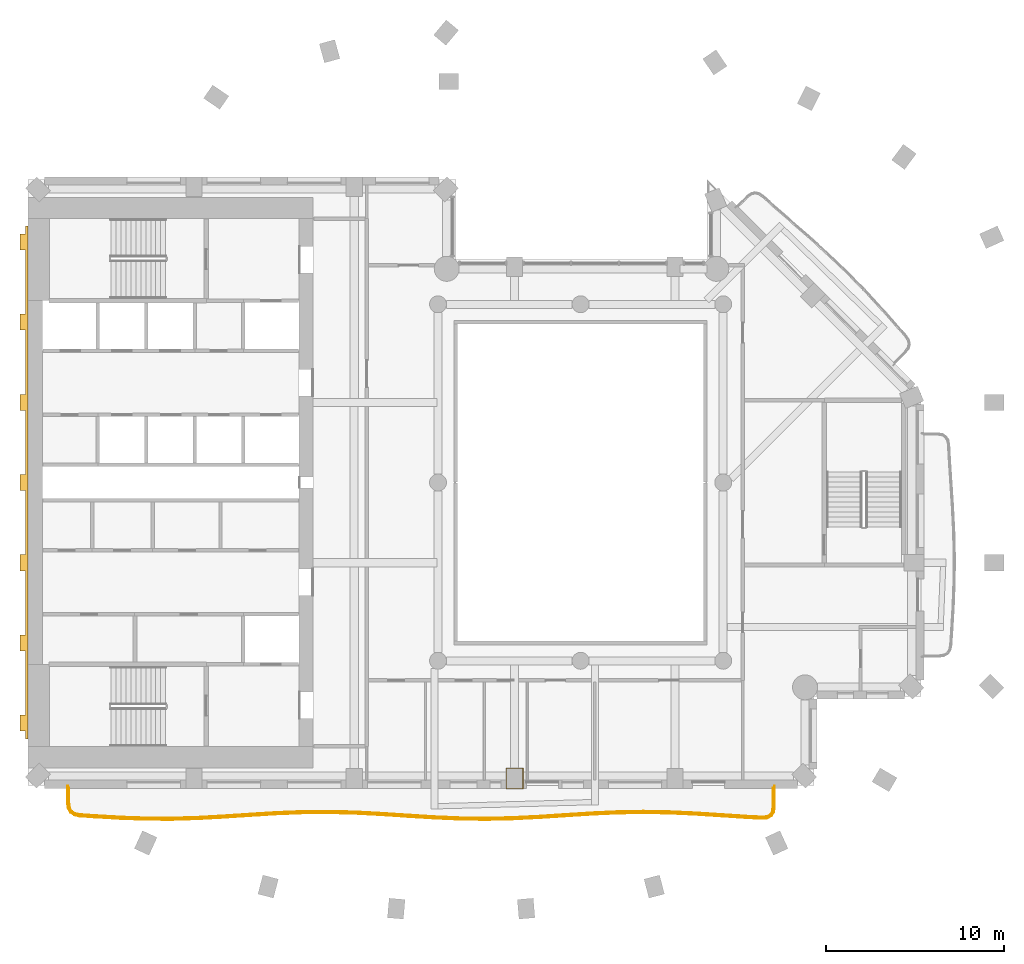
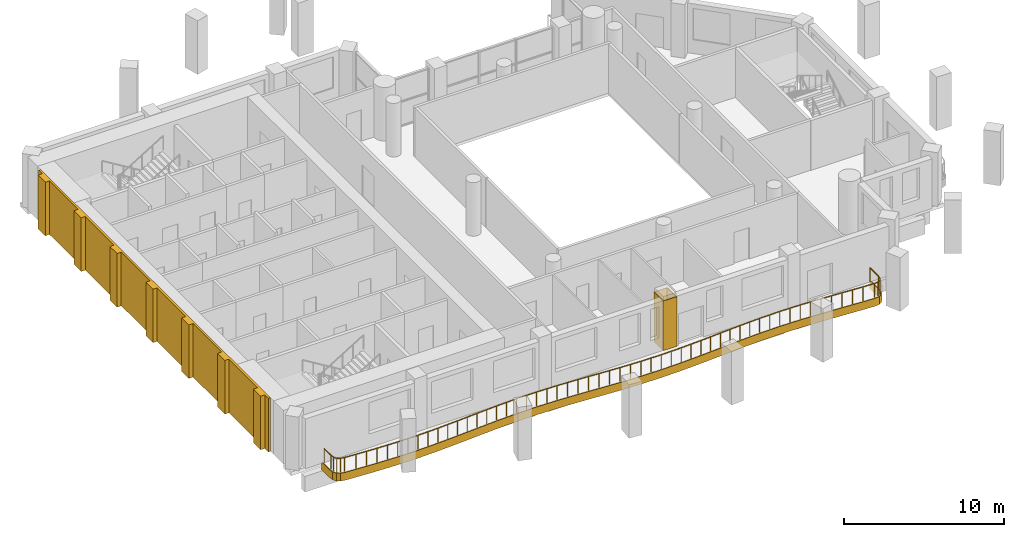
# One storey, part 10 of 13: 3 coverings, 1 railing.
"""IFC4 building model written with IfcOpenShell, lengths in metres."""

from ifc_helpers import new_model, si_unit, direction, frame, origin, origin_2d, place, context, subcontext, project, spatial, polyline, rectangle, outline, extrude, material, layer, layer_set, type_object, element, save


model = new_model("IFC4")

# Units and contexts
model_context = context("Model", 3, precision=1e-05, world=origin(), true_north=direction((0.0, 1.0)))
body_context = subcontext(model_context, "Body", "Model", "MODEL_VIEW")
ifc_project = project(units=[si_unit("LENGTHUNIT", "METRE"), si_unit("AREAUNIT", "SQUARE_METRE"), si_unit("VOLUMEUNIT", "CUBIC_METRE"), si_unit("PLANEANGLEUNIT", "RADIAN"), si_unit("MASSUNIT", "GRAM", prefix="KILO")], contexts=[model_context])

# Site, building, storey
site_placement = place(None, origin())
site = spatial("IfcSite", under=ifc_project, at=site_placement, CompositionType="ELEMENT")
building_placement = place(site_placement, origin())
building = spatial("IfcBuilding", under=site, at=building_placement, Name="Cypress Arch Tower", CompositionType="ELEMENT")
storey_placement = place(building_placement, frame((0.0, 0.0, 189.199951171875)))
storey = spatial("IfcBuildingStorey", under=building, at=storey_placement, Name="L41", CompositionType="ELEMENT", Elevation=189.199951171875)

# Covering
ifc_material_1 = material(Name="White powder-coated aluminium fascia", Category="aluminium")
ifc_layer_1 = layer(ifc_material_1, 0.050048828125)
ifc_layer_set_1 = layer_set([ifc_layer_1], Name="Balcony fascia BF50")
covering_type_1 = type_object("IfcCoveringType", Name="Balcony fascia BF50", PredefinedType="CLADDING", material=ifc_layer_set_1)
covering_1_placement = place(storey_placement, frame((0.0, 0.0, -0.599853515625)))
element("IfcCovering", 1, at=covering_1_placement, inside=storey, type_object=covering_type_1, Name="Balcony fascia L41-B01", PredefinedType="CLADDING", context=body_context, shape_type="SweptSolid", body=[
    extrude(outline(polyline([(11.89990234375, -18.19873046875), (11.856689453125, -18.499755859375), (11.720703125, -18.72021484375), (11.49365234375, -18.84521484375), (11.191162109375, -18.87353515625), (10.38037109375, -18.83349609375), (8.913330078125, -18.73779296875), (7.447265625, -18.643798828125), (5.981689453125, -18.575439453125), (4.5166015625, -18.550048828125), (3.051513671875, -18.57421875), (1.586181640625, -18.641845703125), (0.119873046875, -18.735595703125), (-1.34716796875, -18.83154296875), (-2.81494140625, -18.90478515625), (-4.283203125, -18.936767578125), (-5.75146484375, -18.919189453125), (-7.21923828125, -18.8564453125), (-8.6865234375, -18.764892578125), (-10.153076171875, -18.66796875), (-11.61865234375, -18.59033203125), (-13.083740234375, -18.552001953125), (-14.548828125, -18.562744140625), (-16.01416015625, -18.619873046875), (-17.480224609375, -18.708740234375), (-18.947021484375, -18.806640625), (-20.41455078125, -18.88818359375), (-21.882568359375, -18.932861328125), (-23.350830078125, -18.9287109375), (-24.819091796875, -18.877197265625), (-26.286376953125, -18.79150390625), (-27.096923828125, -18.7373046875), (-27.3984375, -18.673828125), (-27.62255859375, -18.524169921875), (-27.7568359375, -18.290771484375), (-27.800048828125, -17.985595703125), (-27.800048828125, -17.0009765625), (-27.75, -17.0009765625), (-27.75, -17.98193359375), (-27.708740234375, -18.274169921875), (-27.5849609375, -18.4892578125), (-27.378662109375, -18.626953125), (-27.090087890625, -18.687744140625), (-26.283447265625, -18.741455078125), (-24.816650390625, -18.827392578125), (-23.35009765625, -18.87890625), (-21.88330078125, -18.8828125), (-20.416748046875, -18.83837890625), (-18.949951171875, -18.756591796875), (-17.4833984375, -18.658935546875), (-16.0166015625, -18.570068359375), (-14.550048828125, -18.512939453125), (-13.083251953125, -18.501953125), (-11.61669921875, -18.540283203125), (-10.14990234375, -18.617919921875), (-8.683349609375, -18.715087890625), (-7.216552734375, -18.806640625), (-5.75, -18.869140625), (-4.283447265625, -18.88671875), (-2.816650390625, -18.854736328125), (-1.35009765625, -18.781494140625), (0.11669921875, -18.685791015625), (1.583251953125, -18.592041015625), (3.050048828125, -18.524169921875), (4.5166015625, -18.5), (5.9833984375, -18.525390625), (7.449951171875, -18.593994140625), (8.916748046875, -18.68798828125), (10.38330078125, -18.783447265625), (11.18994140625, -18.823486328125), (11.478759765625, -18.79638671875), (11.68505859375, -18.6826171875), (11.808837890625, -18.482177734375), (11.85009765625, -18.1953125), (11.85009765625, -17.0009765625), (11.89990234375, -17.0009765625), (11.89990234375, -18.19873046875)])), origin(), (0.0, 0.0, 1.0), 0.599853515625),
])

# Railing
ifc_material_2 = material(Name="Powder-coated steel posts and rods, 100 mm clear between rods", Category="steel")
railing_type = type_object("IfcRailingType", Name="Balcony guard GR1100", PredefinedType="GUARDRAIL", material=ifc_material_2)
railing_placement = place(storey_placement, frame((11.800048828125, -17.14990234375, 0.0)))
element("IfcRailing", 2, at=railing_placement, inside=storey, type_object=railing_type, Name="Balcony guard L41-B01", PredefinedType="GUARDRAIL", context=body_context, shape_type="SweptSolid", body=[
    extrude(rectangle(XDim=0.050048828125, YDim=0.050048828125, at=origin_2d()), frame((0.0, 0.0, 1.0751953125), z_axis=(0.0, -1.0, 0.0), x_axis=(1.0, 0.0, 0.0)), (0.0, 0.0, 1.0), 1.041748046875),
    extrude(rectangle(XDim=0.050048828125, YDim=0.050048828125, at=origin_2d()), frame((0.0, -1.041748046875, 1.0751953125), z_axis=(-0.142411977437, -0.989807470513, 0.0), x_axis=(0.989807470513, -0.142411977437, 0.0)), (0.0, 0.0, 1.0), 0.276123046875),
    extrude(rectangle(XDim=0.050048828125, YDim=0.050048828125, at=origin_2d()), frame((-0.039306640625, -1.31494140625, 1.0751953125), z_axis=(-0.525125072747, -0.85102506307, 0.0), x_axis=(0.85102506307, -0.525125072747, 0.0)), (0.0, 0.0, 1.0), 0.2119140625),
    extrude(rectangle(XDim=0.050048828125, YDim=0.050048828125, at=origin_2d()), frame((-0.150634765625, -1.495361328125, 1.0751953125), z_axis=(-0.875997084836, -0.482316397564, 0.0), x_axis=(0.482316397564, -0.875997084836, 0.0)), (0.0, 0.0, 1.0), 0.212158203125),
    extrude(rectangle(XDim=0.050048828125, YDim=0.050048828125, at=origin_2d()), frame((-0.33642578125, -1.59765625, 1.0751953125), z_axis=(-0.995672695731, -0.092929451602, 0.0), x_axis=(0.092929451602, -0.995672695731, 0.0)), (0.0, 0.0, 1.0), 0.27587890625),
    extrude(rectangle(XDim=0.050048828125, YDim=0.050048828125, at=origin_2d()), frame((-0.611083984375, -1.623291015625, 1.0751953125), z_axis=(-0.998788435349, 0.049210379114, 0.0), x_axis=(-0.049210379114, -0.998788435349, 0.0)), (0.0, 0.0, 1.0), 0.8037109375),
    extrude(rectangle(XDim=0.050048828125, YDim=0.050048828125, at=origin_2d()), frame((-1.413818359375, -1.583740234375, 1.0751953125), z_axis=(-0.997887605329, 0.064964044902, 0.0), x_axis=(-0.064964044902, -0.997887605329, 0.0)), (0.0, 0.0, 1.0), 1.469482421875),
    extrude(rectangle(XDim=0.050048828125, YDim=0.050048828125, at=origin_2d()), frame((-2.880126953125, -1.48828125, 1.0751953125), z_axis=(-0.997943168618, 0.064104853235, 0.0), x_axis=(-0.064104853235, -0.997943168618, 0.0)), (0.0, 0.0, 1.0), 1.469970703125),
    extrude(rectangle(XDim=0.050048828125, YDim=0.050048828125, at=origin_2d()), frame((-4.34716796875, -1.39404296875, 1.0751953125), z_axis=(-0.998909841589, 0.046681135122, 0.0), x_axis=(-0.046681135122, -0.998909841589, 0.0)), (0.0, 0.0, 1.0), 1.4697265625),
    extrude(rectangle(XDim=0.050048828125, YDim=0.050048828125, at=origin_2d()), frame((-5.815185546875, -1.325439453125, 1.0751953125), z_axis=(-0.999850509896, 0.01729039791, 0.0), x_axis=(-0.01729039791, -0.999850509896, 0.0)), (0.0, 0.0, 1.0), 1.468505859375),
    extrude(rectangle(XDim=0.050048828125, YDim=0.050048828125, at=origin_2d()), frame((-7.283447265625, -1.300048828125, 1.0751953125), z_axis=(-0.999861785658, -0.016625570097, 0.0), x_axis=(0.016625570097, -0.999861785658, 0.0)), (0.0, 0.0, 1.0), 1.468505859375),
    extrude(rectangle(XDim=0.050048828125, YDim=0.050048828125, at=origin_2d()), frame((-8.751708984375, -1.324462890625, 1.0751953125), z_axis=(-0.998940256381, -0.046025690455, 0.0), x_axis=(0.046025690455, -0.998940256381, 0.0)), (0.0, 0.0, 1.0), 1.46923828125),
    extrude(rectangle(XDim=0.050048828125, YDim=0.050048828125, at=origin_2d()), frame((-10.219482421875, -1.39208984375, 1.0751953125), z_axis=(-0.997964362845, -0.063774058135, 0.0), x_axis=(0.063774058135, -0.997964362845, 0.0)), (0.0, 0.0, 1.0), 1.469970703125),
    extrude(rectangle(XDim=0.050048828125, YDim=0.050048828125, at=origin_2d()), frame((-11.6865234375, -1.48583984375, 1.0751953125), z_axis=(-0.997866009186, -0.065294928673, 0.0), x_axis=(0.065294928673, -0.997866009186, 0.0)), (0.0, 0.0, 1.0), 1.469482421875),
    extrude(rectangle(XDim=0.050048828125, YDim=0.050048828125, at=origin_2d()), frame((-13.15283203125, -1.581787109375, 1.0751953125), z_axis=(-0.998753583274, -0.049912722802, 0.0), x_axis=(0.049912722802, -0.998753583274, 0.0)), (0.0, 0.0, 1.0), 1.46728515625),
    extrude(rectangle(XDim=0.050048828125, YDim=0.050048828125, at=origin_2d()), frame((-14.618408203125, -1.655029296875, 1.0751953125), z_axis=(-0.99976551668, -0.021654368072, 0.0), x_axis=(0.021654368072, -0.99976551668, 0.0)), (0.0, 0.0, 1.0), 1.465576171875),
    extrude(rectangle(XDim=0.050048828125, YDim=0.050048828125, at=origin_2d()), frame((-16.083740234375, -1.686767578125, 1.0751953125), z_axis=(-0.999928007775, 0.011999136093, 0.0), x_axis=(-0.011999136093, -0.999928007775, 0.0)), (0.0, 0.0, 1.0), 1.46484375),
    extrude(rectangle(XDim=0.050048828125, YDim=0.050048828125, at=origin_2d()), frame((-17.548583984375, -1.669189453125, 1.0751953125), z_axis=(-0.999091925715, 0.042606618854, 0.0), x_axis=(-0.042606618854, -0.999091925715, 0.0)), (0.0, 0.0, 1.0), 1.466796875),
    extrude(rectangle(XDim=0.050048828125, YDim=0.050048828125, at=origin_2d()), frame((-19.01416015625, -1.606689453125, 1.0751953125), z_axis=(-0.998055810685, 0.062326549377, 0.0), x_axis=(-0.062326549377, -0.998055810685, 0.0)), (0.0, 0.0, 1.0), 1.468994140625),
    extrude(rectangle(XDim=0.050048828125, YDim=0.050048828125, at=origin_2d()), frame((-20.480224609375, -1.51513671875, 1.0751953125), z_axis=(-0.997823935378, 0.065934770697, 0.0), x_axis=(-0.065934770697, -0.997823935378, 0.0)), (0.0, 0.0, 1.0), 1.469970703125),
    extrude(rectangle(XDim=0.050048828125, YDim=0.050048828125, at=origin_2d()), frame((-21.947021484375, -1.418212890625, 1.0751953125), z_axis=(-0.998604029741, 0.052820372831, 0.0), x_axis=(-0.052820372831, -0.998604029741, 0.0)), (0.0, 0.0, 1.0), 1.4697265625),
    extrude(rectangle(XDim=0.050048828125, YDim=0.050048828125, at=origin_2d()), frame((-23.414794921875, -1.340576171875, 1.0751953125), z_axis=(-0.999659305663, 0.026101199233, 0.0), x_axis=(-0.026101199233, -0.999659305663, 0.0)), (0.0, 0.0, 1.0), 1.468505859375),
    extrude(rectangle(XDim=0.050048828125, YDim=0.050048828125, at=origin_2d()), frame((-24.8828125, -1.30224609375, 1.0751953125), z_axis=(-0.999973246127, -0.007314850013, 0.0), x_axis=(0.007314850013, -0.999973246127, 0.0)), (0.0, 0.0, 1.0), 1.468505859375),
    extrude(rectangle(XDim=0.050048828125, YDim=0.050048828125, at=origin_2d()), frame((-26.351318359375, -1.31298828125, 1.0751953125), z_axis=(-0.999243392448, -0.038892706892, 0.0), x_axis=(0.038892706892, -0.999243392448, 0.0)), (0.0, 0.0, 1.0), 1.468994140625),
    extrude(rectangle(XDim=0.050048828125, YDim=0.050048828125, at=origin_2d()), frame((-27.819091796875, -1.3701171875, 1.0751953125), z_axis=(-0.998171533935, -0.060444924031, 0.0), x_axis=(0.060444924031, -0.998171533935, 0.0)), (0.0, 0.0, 1.0), 1.47021484375),
    extrude(rectangle(XDim=0.050048828125, YDim=0.050048828125, at=origin_2d()), frame((-29.28662109375, -1.458984375, 1.0751953125), z_axis=(-0.997779274215, -0.066607206419, 0.0), x_axis=(0.066607206419, -0.997779274215, 0.0)), (0.0, 0.0, 1.0), 1.4697265625),
    extrude(rectangle(XDim=0.050048828125, YDim=0.050048828125, at=origin_2d()), frame((-30.753173828125, -1.556884765625, 1.0751953125), z_axis=(-0.998455743809, -0.055552926609, 0.0), x_axis=(0.055552926609, -0.998455743809, 0.0)), (0.0, 0.0, 1.0), 1.4677734375),
    extrude(rectangle(XDim=0.050048828125, YDim=0.050048828125, at=origin_2d()), frame((-32.21875, -1.638427734375, 1.0751953125), z_axis=(-0.999540567806, -0.030309294125, 0.0), x_axis=(0.030309294125, -0.999540567806, 0.0)), (0.0, 0.0, 1.0), 1.466064453125),
    extrude(rectangle(XDim=0.050048828125, YDim=0.050048828125, at=origin_2d()), frame((-33.68408203125, -1.682861328125, 1.0751953125), z_axis=(-0.999996445648, 0.00266621282, 0.0), x_axis=(-0.00266621282, -0.999996445648, 0.0)), (0.0, 0.0, 1.0), 1.465087890625),
    extrude(rectangle(XDim=0.050048828125, YDim=0.050048828125, at=origin_2d()), frame((-35.149169921875, -1.678955078125, 1.0751953125), z_axis=(-0.9993824314, 0.035139092322, 0.0), x_axis=(-0.035139092322, -0.9993824314, 0.0)), (0.0, 0.0, 1.0), 1.466064453125),
    extrude(rectangle(XDim=0.050048828125, YDim=0.050048828125, at=origin_2d()), frame((-36.6142578125, -1.62744140625, 1.0751953125), z_axis=(-0.998296088202, 0.058351694748, 0.0), x_axis=(-0.058351694748, -0.998296088202, 0.0)), (0.0, 0.0, 1.0), 1.468505859375),
    extrude(rectangle(XDim=0.050048828125, YDim=0.050048828125, at=origin_2d()), frame((-38.080322265625, -1.541748046875, 1.0751953125), z_axis=(-0.997770367679, 0.066740492821, 0.0), x_axis=(-0.066740492821, -0.997770367679, 0.0)), (0.0, 0.0, 1.0), 0.8046875),
    extrude(rectangle(XDim=0.050048828125, YDim=0.050048828125, at=origin_2d()), frame((-38.88330078125, -1.488037109375, 1.0751953125), z_axis=(-0.97870572529, 0.205268368933, 0.0), x_axis=(-0.205268368933, -0.97870572529, 0.0)), (0.0, 0.0, 1.0), 0.281982421875),
    extrude(rectangle(XDim=0.050048828125, YDim=0.050048828125, at=origin_2d()), frame((-39.1591796875, -1.43017578125, 1.0751953125), z_axis=(-0.831386976724, 0.555693885997, 0.0), x_axis=(-0.555693885997, -0.831386976724, 0.0)), (0.0, 0.0, 1.0), 0.226806640625),
    extrude(rectangle(XDim=0.050048828125, YDim=0.050048828125, at=origin_2d()), frame((-39.34765625, -1.30419921875, 1.0751953125), z_axis=(-0.498572279152, 0.86684813114, 0.0), x_axis=(-0.86684813114, -0.498572279152, 0.0)), (0.0, 0.0, 1.0), 0.226806640625),
    extrude(rectangle(XDim=0.050048828125, YDim=0.050048828125, at=origin_2d()), frame((-39.460693359375, -1.107666015625, 1.0751953125), z_axis=(-0.13948048644, 0.990224819878, 0.0), x_axis=(-0.990224819878, -0.13948048644, 0.0)), (0.0, 0.0, 1.0), 0.28173828125),
    extrude(rectangle(XDim=0.050048828125, YDim=0.050048828125, at=origin_2d()), frame((-39.5, -0.82861328125, 1.0751953125), z_axis=(0.0, 1.0, 0.0), x_axis=(-1.0, 0.0, 0.0)), (0.0, 0.0, 1.0), 0.82861328125),
    extrude(rectangle(XDim=0.0400390625, YDim=0.0400390625, at=origin_2d()), origin(), (0.0, 0.0, 1.0), 1.050048828125),
    extrude(rectangle(XDim=0.0400390625, YDim=0.0400390625, at=origin_2d()), frame((0.0, -1.041748046875, 0.0)), (0.0, 0.0, 1.0), 1.050048828125),
    extrude(rectangle(XDim=0.0400390625, YDim=0.0400390625, at=origin_2d()), frame((-0.039306640625, -1.31494140625, 0.0)), (0.0, 0.0, 1.0), 1.050048828125),
    extrude(rectangle(XDim=0.0400390625, YDim=0.0400390625, at=origin_2d()), frame((-0.150634765625, -1.495361328125, 0.0)), (0.0, 0.0, 1.0), 1.050048828125),
    extrude(rectangle(XDim=0.0400390625, YDim=0.0400390625, at=origin_2d()), frame((-0.33642578125, -1.59765625, 0.0)), (0.0, 0.0, 1.0), 1.050048828125),
    extrude(rectangle(XDim=0.0400390625, YDim=0.0400390625, at=origin_2d()), frame((-0.611083984375, -1.623291015625, 0.0)), (0.0, 0.0, 1.0), 1.050048828125),
    extrude(rectangle(XDim=0.0400390625, YDim=0.0400390625, at=origin_2d()), frame((-1.413818359375, -1.583740234375, 0.0)), (0.0, 0.0, 1.0), 1.050048828125),
    extrude(rectangle(XDim=0.0400390625, YDim=0.0400390625, at=origin_2d()), frame((-2.14697265625, -1.5361328125, 0.0)), (0.0, 0.0, 1.0), 1.050048828125),
    extrude(rectangle(XDim=0.0400390625, YDim=0.0400390625, at=origin_2d()), frame((-2.880126953125, -1.48828125, 0.0)), (0.0, 0.0, 1.0), 1.050048828125),
    extrude(rectangle(XDim=0.0400390625, YDim=0.0400390625, at=origin_2d()), frame((-3.61376953125, -1.441162109375, 0.0)), (0.0, 0.0, 1.0), 1.050048828125),
    extrude(rectangle(XDim=0.0400390625, YDim=0.0400390625, at=origin_2d()), frame((-4.34716796875, -1.39404296875, 0.0)), (0.0, 0.0, 1.0), 1.050048828125),
    extrude(rectangle(XDim=0.0400390625, YDim=0.0400390625, at=origin_2d()), frame((-5.0810546875, -1.35986328125, 0.0)), (0.0, 0.0, 1.0), 1.050048828125),
    extrude(rectangle(XDim=0.0400390625, YDim=0.0400390625, at=origin_2d()), frame((-5.815185546875, -1.325439453125, 0.0)), (0.0, 0.0, 1.0), 1.050048828125),
    extrude(rectangle(XDim=0.0400390625, YDim=0.0400390625, at=origin_2d()), frame((-6.54931640625, -1.312744140625, 0.0)), (0.0, 0.0, 1.0), 1.050048828125),
    extrude(rectangle(XDim=0.0400390625, YDim=0.0400390625, at=origin_2d()), frame((-7.283447265625, -1.300048828125, 0.0)), (0.0, 0.0, 1.0), 1.050048828125),
    extrude(rectangle(XDim=0.0400390625, YDim=0.0400390625, at=origin_2d()), frame((-8.017578125, -1.312255859375, 0.0)), (0.0, 0.0, 1.0), 1.050048828125),
    extrude(rectangle(XDim=0.0400390625, YDim=0.0400390625, at=origin_2d()), frame((-8.751708984375, -1.324462890625, 0.0)), (0.0, 0.0, 1.0), 1.050048828125),
    extrude(rectangle(XDim=0.0400390625, YDim=0.0400390625, at=origin_2d()), frame((-9.485595703125, -1.3583984375, 0.0)), (0.0, 0.0, 1.0), 1.050048828125),
    extrude(rectangle(XDim=0.0400390625, YDim=0.0400390625, at=origin_2d()), frame((-10.219482421875, -1.39208984375, 0.0)), (0.0, 0.0, 1.0), 1.050048828125),
    extrude(rectangle(XDim=0.0400390625, YDim=0.0400390625, at=origin_2d()), frame((-10.953125, -1.43896484375, 0.0)), (0.0, 0.0, 1.0), 1.050048828125),
    extrude(rectangle(XDim=0.0400390625, YDim=0.0400390625, at=origin_2d()), frame((-11.6865234375, -1.48583984375, 0.0)), (0.0, 0.0, 1.0), 1.050048828125),
    extrude(rectangle(XDim=0.0400390625, YDim=0.0400390625, at=origin_2d()), frame((-12.419677734375, -1.53369140625, 0.0)), (0.0, 0.0, 1.0), 1.050048828125),
    extrude(rectangle(XDim=0.0400390625, YDim=0.0400390625, at=origin_2d()), frame((-13.15283203125, -1.581787109375, 0.0)), (0.0, 0.0, 1.0), 1.050048828125),
    extrude(rectangle(XDim=0.0400390625, YDim=0.0400390625, at=origin_2d()), frame((-13.8857421875, -1.618408203125, 0.0)), (0.0, 0.0, 1.0), 1.050048828125),
    extrude(rectangle(XDim=0.0400390625, YDim=0.0400390625, at=origin_2d()), frame((-14.618408203125, -1.655029296875, 0.0)), (0.0, 0.0, 1.0), 1.050048828125),
    extrude(rectangle(XDim=0.0400390625, YDim=0.0400390625, at=origin_2d()), frame((-15.35107421875, -1.6708984375, 0.0)), (0.0, 0.0, 1.0), 1.050048828125),
    extrude(rectangle(XDim=0.0400390625, YDim=0.0400390625, at=origin_2d()), frame((-16.083740234375, -1.686767578125, 0.0)), (0.0, 0.0, 1.0), 1.050048828125),
    extrude(rectangle(XDim=0.0400390625, YDim=0.0400390625, at=origin_2d()), frame((-16.816162109375, -1.677978515625, 0.0)), (0.0, 0.0, 1.0), 1.050048828125),
    extrude(rectangle(XDim=0.0400390625, YDim=0.0400390625, at=origin_2d()), frame((-17.548583984375, -1.669189453125, 0.0)), (0.0, 0.0, 1.0), 1.050048828125),
    extrude(rectangle(XDim=0.0400390625, YDim=0.0400390625, at=origin_2d()), frame((-18.28125, -1.637939453125, 0.0)), (0.0, 0.0, 1.0), 1.050048828125),
    extrude(rectangle(XDim=0.0400390625, YDim=0.0400390625, at=origin_2d()), frame((-19.01416015625, -1.606689453125, 0.0)), (0.0, 0.0, 1.0), 1.050048828125),
    extrude(rectangle(XDim=0.0400390625, YDim=0.0400390625, at=origin_2d()), frame((-19.7470703125, -1.56103515625, 0.0)), (0.0, 0.0, 1.0), 1.050048828125),
    extrude(rectangle(XDim=0.0400390625, YDim=0.0400390625, at=origin_2d()), frame((-20.480224609375, -1.51513671875, 0.0)), (0.0, 0.0, 1.0), 1.050048828125),
    extrude(rectangle(XDim=0.0400390625, YDim=0.0400390625, at=origin_2d()), frame((-21.213623046875, -1.466796875, 0.0)), (0.0, 0.0, 1.0), 1.050048828125),
    extrude(rectangle(XDim=0.0400390625, YDim=0.0400390625, at=origin_2d()), frame((-21.947021484375, -1.418212890625, 0.0)), (0.0, 0.0, 1.0), 1.050048828125),
    extrude(rectangle(XDim=0.0400390625, YDim=0.0400390625, at=origin_2d()), frame((-22.680908203125, -1.37939453125, 0.0)), (0.0, 0.0, 1.0), 1.050048828125),
    extrude(rectangle(XDim=0.0400390625, YDim=0.0400390625, at=origin_2d()), frame((-23.414794921875, -1.340576171875, 0.0)), (0.0, 0.0, 1.0), 1.050048828125),
    extrude(rectangle(XDim=0.0400390625, YDim=0.0400390625, at=origin_2d()), frame((-24.14892578125, -1.3212890625, 0.0)), (0.0, 0.0, 1.0), 1.050048828125),
    extrude(rectangle(XDim=0.0400390625, YDim=0.0400390625, at=origin_2d()), frame((-24.8828125, -1.30224609375, 0.0)), (0.0, 0.0, 1.0), 1.050048828125),
    extrude(rectangle(XDim=0.0400390625, YDim=0.0400390625, at=origin_2d()), frame((-25.6171875, -1.3076171875, 0.0)), (0.0, 0.0, 1.0), 1.050048828125),
    extrude(rectangle(XDim=0.0400390625, YDim=0.0400390625, at=origin_2d()), frame((-26.351318359375, -1.31298828125, 0.0)), (0.0, 0.0, 1.0), 1.050048828125),
    extrude(rectangle(XDim=0.0400390625, YDim=0.0400390625, at=origin_2d()), frame((-27.085205078125, -1.341552734375, 0.0)), (0.0, 0.0, 1.0), 1.050048828125),
    extrude(rectangle(XDim=0.0400390625, YDim=0.0400390625, at=origin_2d()), frame((-27.819091796875, -1.3701171875, 0.0)), (0.0, 0.0, 1.0), 1.050048828125),
    extrude(rectangle(XDim=0.0400390625, YDim=0.0400390625, at=origin_2d()), frame((-28.552734375, -1.41455078125, 0.0)), (0.0, 0.0, 1.0), 1.050048828125),
    extrude(rectangle(XDim=0.0400390625, YDim=0.0400390625, at=origin_2d()), frame((-29.28662109375, -1.458984375, 0.0)), (0.0, 0.0, 1.0), 1.050048828125),
    extrude(rectangle(XDim=0.0400390625, YDim=0.0400390625, at=origin_2d()), frame((-30.02001953125, -1.5078125, 0.0)), (0.0, 0.0, 1.0), 1.050048828125),
    extrude(rectangle(XDim=0.0400390625, YDim=0.0400390625, at=origin_2d()), frame((-30.753173828125, -1.556884765625, 0.0)), (0.0, 0.0, 1.0), 1.050048828125),
    extrude(rectangle(XDim=0.0400390625, YDim=0.0400390625, at=origin_2d()), frame((-31.48583984375, -1.59765625, 0.0)), (0.0, 0.0, 1.0), 1.050048828125),
    extrude(rectangle(XDim=0.0400390625, YDim=0.0400390625, at=origin_2d()), frame((-32.21875, -1.638427734375, 0.0)), (0.0, 0.0, 1.0), 1.050048828125),
    extrude(rectangle(XDim=0.0400390625, YDim=0.0400390625, at=origin_2d()), frame((-32.951416015625, -1.66064453125, 0.0)), (0.0, 0.0, 1.0), 1.050048828125),
    extrude(rectangle(XDim=0.0400390625, YDim=0.0400390625, at=origin_2d()), frame((-33.68408203125, -1.682861328125, 0.0)), (0.0, 0.0, 1.0), 1.050048828125),
    extrude(rectangle(XDim=0.0400390625, YDim=0.0400390625, at=origin_2d()), frame((-34.41650390625, -1.680908203125, 0.0)), (0.0, 0.0, 1.0), 1.050048828125),
    extrude(rectangle(XDim=0.0400390625, YDim=0.0400390625, at=origin_2d()), frame((-35.149169921875, -1.678955078125, 0.0)), (0.0, 0.0, 1.0), 1.050048828125),
    extrude(rectangle(XDim=0.0400390625, YDim=0.0400390625, at=origin_2d()), frame((-35.8818359375, -1.6533203125, 0.0)), (0.0, 0.0, 1.0), 1.050048828125),
    extrude(rectangle(XDim=0.0400390625, YDim=0.0400390625, at=origin_2d()), frame((-36.6142578125, -1.62744140625, 0.0)), (0.0, 0.0, 1.0), 1.050048828125),
    extrude(rectangle(XDim=0.0400390625, YDim=0.0400390625, at=origin_2d()), frame((-37.34716796875, -1.58447265625, 0.0)), (0.0, 0.0, 1.0), 1.050048828125),
    extrude(rectangle(XDim=0.0400390625, YDim=0.0400390625, at=origin_2d()), frame((-38.080322265625, -1.541748046875, 0.0)), (0.0, 0.0, 1.0), 1.050048828125),
    extrude(rectangle(XDim=0.0400390625, YDim=0.0400390625, at=origin_2d()), frame((-38.88330078125, -1.488037109375, 0.0)), (0.0, 0.0, 1.0), 1.050048828125),
    extrude(rectangle(XDim=0.0400390625, YDim=0.0400390625, at=origin_2d()), frame((-39.1591796875, -1.43017578125, 0.0)), (0.0, 0.0, 1.0), 1.050048828125),
    extrude(rectangle(XDim=0.0400390625, YDim=0.0400390625, at=origin_2d()), frame((-39.34765625, -1.30419921875, 0.0)), (0.0, 0.0, 1.0), 1.050048828125),
    extrude(rectangle(XDim=0.0400390625, YDim=0.0400390625, at=origin_2d()), frame((-39.460693359375, -1.107666015625, 0.0)), (0.0, 0.0, 1.0), 1.050048828125),
    extrude(rectangle(XDim=0.0400390625, YDim=0.0400390625, at=origin_2d()), frame((-39.5, -0.82861328125, 0.0)), (0.0, 0.0, 1.0), 1.050048828125),
    extrude(rectangle(XDim=0.0400390625, YDim=0.0400390625, at=origin_2d()), frame((-39.5, 0.0, 0.0)), (0.0, 0.0, 1.0), 1.050048828125),
])

# Coverings
ifc_material_3 = material(Name="Painted plasterboard column casing")
ifc_layer_2 = layer(ifc_material_3, 0.0400390625)
ifc_layer_set_2 = layer_set([ifc_layer_2], Name="Column casing CK40")
covering_type_2 = type_object("IfcCoveringType", Name="Column casing CK40", PredefinedType="CLADDING", material=ifc_layer_set_2)
covering_2_placement = place(storey_placement, origin())
element("IfcCovering", 3, at=covering_2_placement, inside=storey, type_object=covering_type_2, Name="Column casing L41 CB04", PredefinedType="CLADDING", context=body_context, shape_type="SweptSolid", body=[
    extrude(outline(polyline([(-3.18994140625, -17.18994140625), (-3.18994140625, -16.010009765625), (-2.2099609375, -16.010009765625), (-2.2099609375, -17.18994140625), (-3.18994140625, -17.18994140625)]), holes=[polyline([(-3.14990234375, -17.14990234375), (-2.25, -17.14990234375), (-2.25, -16.050048828125), (-3.14990234375, -16.050048828125), (-3.14990234375, -17.14990234375)])]), origin(), (0.0, 0.0, 1.0), 3.800048828125),
])
ifc_material_4 = material(Name="Brick (red buff blend)", Category="masonry")
ifc_layer_3 = layer(ifc_material_4, 0.449951171875)
ifc_layer_set_3 = layer_set([ifc_layer_3], Name="West face brick piers WP450")
covering_type_3 = type_object("IfcCoveringType", Name="West face brick piers WP450", PredefinedType="CLADDING", material=ifc_layer_set_3)
covering_3_placement = place(storey_placement, origin())
element("IfcCovering", 4, at=covering_3_placement, inside=storey, type_object=covering_type_3, Name="West face brick piers L41", PredefinedType="CLADDING", context=body_context, shape_type="SweptSolid", body=[
    extrude(outline(polyline([(-30.14990234375, -13.050048828125), (-30.14990234375, -9.449951171875), (-30.449951171875, -9.449951171875), (-30.449951171875, -8.550048828125), (-30.14990234375, -8.550048828125), (-30.14990234375, -4.949951171875), (-30.449951171875, -4.949951171875), (-30.449951171875, -4.050048828125), (-30.14990234375, -4.050048828125), (-30.14990234375, -0.449951171875), (-30.449951171875, -0.449951171875), (-30.449951171875, 0.449951171875), (-30.14990234375, 0.449951171875), (-30.14990234375, 4.050048828125), (-30.449951171875, 4.050048828125), (-30.449951171875, 4.949951171875), (-30.14990234375, 4.949951171875), (-30.14990234375, 8.550048828125), (-30.449951171875, 8.550048828125), (-30.449951171875, 9.449951171875), (-30.14990234375, 9.449951171875), (-30.14990234375, 13.050048828125), (-30.449951171875, 13.050048828125), (-30.449951171875, 13.949951171875), (-30.14990234375, 13.949951171875), (-30.14990234375, 14.39990234375), (-30.0, 14.39990234375), (-30.0, -14.39990234375), (-30.14990234375, -14.39990234375), (-30.14990234375, -13.949951171875), (-30.449951171875, -13.949951171875), (-30.449951171875, -13.050048828125), (-30.14990234375, -13.050048828125)])), origin(), (0.0, 0.0, 1.0), 4.10009765625),
])

save(model, "model.ifc")
